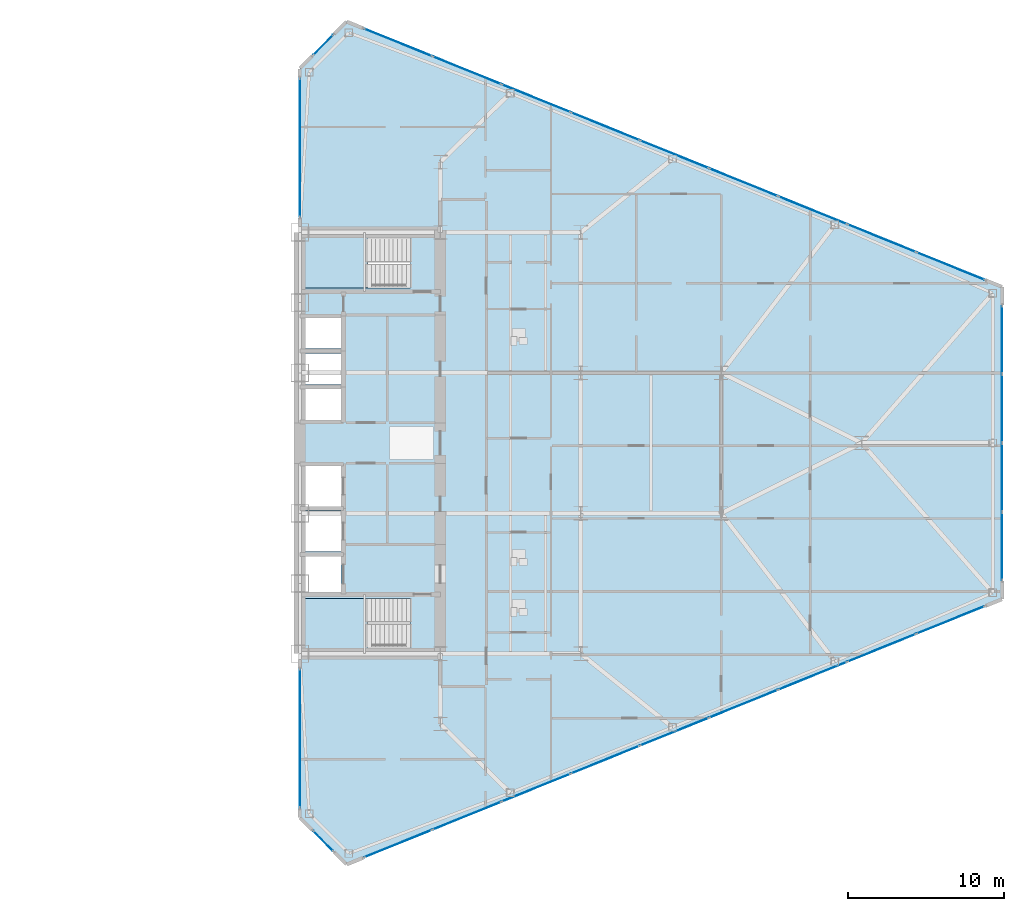
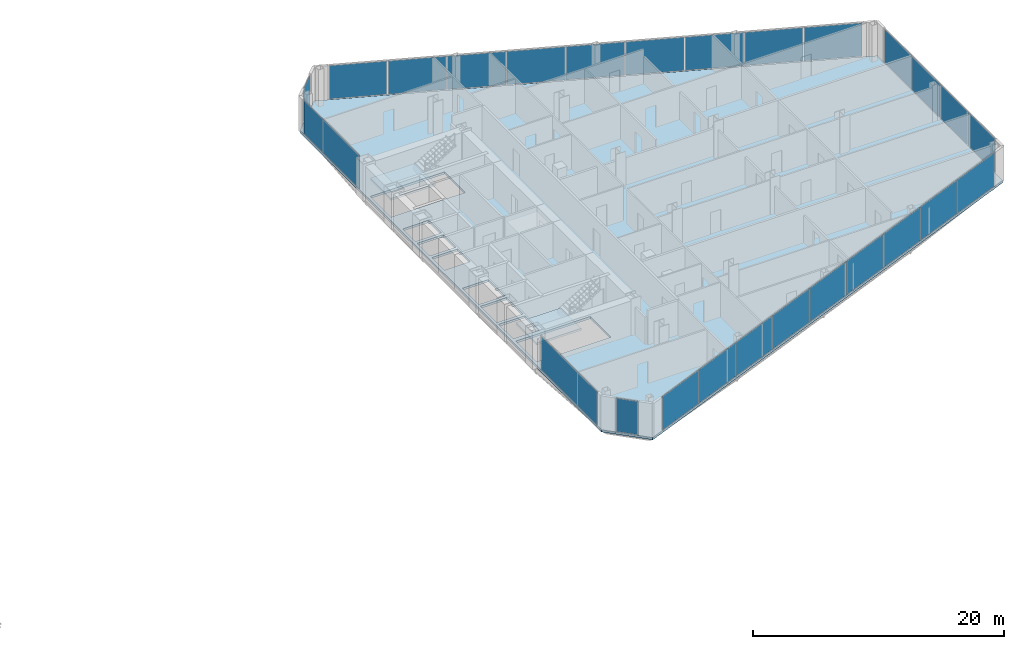
# One storey, part 16 of 25: 26 plates, 3 slabs, 9 elements without a shape of their own.
"""IFC4 building model written with IfcOpenShell, lengths in metres."""

from ifc_helpers import new_model, si_unit, direction, frame, origin, origin_2d, place, context, subcontext, project, spatial, polyline, rectangle, outline, extrude, source, transform, mapped, material, layer, layer_set, type_object, type_shapes, element, aggregate, save


model = new_model("IFC4")

# Units and contexts
model_context = context("Model", 3, precision=1e-05, world=origin(), true_north=direction((0.0, 1.0)))
body_context = subcontext(model_context, "Body", "Model", "MODEL_VIEW")
ifc_project = project(units=[si_unit("LENGTHUNIT", "METRE"), si_unit("AREAUNIT", "SQUARE_METRE"), si_unit("VOLUMEUNIT", "CUBIC_METRE"), si_unit("PLANEANGLEUNIT", "RADIAN"), si_unit("MASSUNIT", "GRAM", prefix="KILO")], contexts=[model_context])

# Site, building, storey
site_placement = place(None, origin())
site = spatial("IfcSite", under=ifc_project, at=site_placement, CompositionType="ELEMENT")
building_placement = place(site_placement, origin())
building = spatial("IfcBuilding", under=site, at=building_placement, Name="Seokmaru Belvedere", CompositionType="ELEMENT")
storey_placement = place(building_placement, frame((0.0, 0.0, 22.5)))
storey = spatial("IfcBuildingStorey", under=building, at=storey_placement, Name="L05", CompositionType="ELEMENT", Elevation=22.5)

# Stair, slab
ifc_material_1 = material(Name="Concrete C40 (40 MPa)", Category="concrete")
stair_type = type_object("IfcStairType", Name="Typical Tower Core Dog-Leg Stair 3600", PredefinedType="TWO_STRAIGHT_RUN_STAIR", material=ifc_material_1)
stair_1_placement = place(storey_placement, origin())
stair_1 = element("IfcStair", 1, at=stair_1_placement, inside=storey, type_object=stair_type, Name="L05 Special Escape Stair ST-E1", PredefinedType="TWO_STRAIGHT_RUN_STAIR")
ifc_layer_1 = layer(ifc_material_1, 0.199951171875)
ifc_layer_set_1 = layer_set([ifc_layer_1], Name="Concrete C40 (40 MPa)")
slab_type_1 = type_object("IfcSlabType", Name="Reinforced Concrete Stair Landing Slab 200", PredefinedType="LANDING", material=ifc_layer_set_1)
slab_1_placement = place(storey_placement, frame((0.0, 0.0, 1.60009765625)))
slab_1 = element("IfcSlab", 2, at=slab_1_placement, type_object=slab_type_1, Name="ST-E1 landing 1", PredefinedType="LANDING", context=body_context, shape_type="SweptSolid", body=[
    extrude(outline(polyline([(27.760009765625, -13.239990234375), (31.8798828125, -13.239990234375), (31.8798828125, -9.949951171875), (27.760009765625, -9.949951171875), (27.760009765625, -13.239990234375)])), origin(), (0.0, 0.0, 1.0), 0.199951171875),
])
aggregate(stair_1, [slab_1])

stair_2_placement = place(storey_placement, origin())
stair_2 = element("IfcStair", 3, at=stair_2_placement, inside=storey, type_object=stair_type, Name="L05 Special Escape Stair ST-E2", PredefinedType="TWO_STRAIGHT_RUN_STAIR")
slab_2_placement = place(storey_placement, frame((0.0, 0.0, 1.60009765625)))
slab_2 = element("IfcSlab", 4, at=slab_2_placement, type_object=slab_type_1, Name="ST-E2 landing 1", PredefinedType="LANDING", context=body_context, shape_type="SweptSolid", body=[
    extrude(outline(polyline([(27.760009765625, 9.949951171875), (31.8798828125, 9.949951171875), (31.8798828125, 13.239990234375), (27.760009765625, 13.239990234375), (27.760009765625, 9.949951171875)])), origin(), (0.0, 0.0, 1.0), 0.199951171875),
])
aggregate(stair_2, [slab_2])

# Slab
ifc_layer_2 = layer(ifc_material_1, 0.219970703125)
ifc_layer_set_2 = layer_set([ifc_layer_2], Name="Concrete C40 (40 MPa)")
slab_type_2 = type_object("IfcSlabType", Name="Typical Tower Composite Floor Slab 220", PredefinedType="FLOOR", material=ifc_layer_set_2)
slab_3_placement = place(storey_placement, frame((0.0, 0.0, -0.219970703125)))
element("IfcSlab", 5, at=slab_3_placement, inside=storey, type_object=slab_type_2, Name="L05 East Leg Floor Slab", PredefinedType="FLOOR", context=body_context, shape_type="SweptSolid", body=[
    extrude(outline(polyline([(30.5, -27.0), (72.5, -10.0), (72.5, 10.0), (30.5, 27.0), (27.5, 24.0), (27.5, -24.0), (30.5, -27.0)]), holes=[polyline([(27.75, -13.25), (34.60009765625, -13.25), (34.60009765625, -9.949951171875), (27.75, -9.949951171875), (27.75, -13.25)]), polyline([(27.75, 9.949951171875), (34.60009765625, 9.949951171875), (34.60009765625, 13.25), (27.75, 13.25), (27.75, 9.949951171875)]), polyline([(27.75, -9.550048828125), (30.14990234375, -9.550048828125), (30.14990234375, -7.25), (27.75, -7.25), (27.75, -9.550048828125)]), polyline([(27.75, -6.949951171875), (30.14990234375, -6.949951171875), (30.14990234375, -4.35009765625), (27.75, -4.35009765625), (27.75, -6.949951171875)]), polyline([(27.75, -4.050048828125), (30.14990234375, -4.050048828125), (30.14990234375, -1.449951171875), (27.75, -1.449951171875), (27.75, -4.050048828125)]), polyline([(27.75, 1.449951171875), (30.14990234375, 1.449951171875), (30.14990234375, 3.449951171875), (27.75, 3.449951171875), (27.75, 1.449951171875)]), polyline([(27.75, 3.75), (30.14990234375, 3.75), (30.14990234375, 5.75), (27.75, 5.75), (27.75, 3.75)]), polyline([(27.75, 6.050048828125), (30.14990234375, 6.050048828125), (30.14990234375, 8.050048828125), (27.75, 8.050048828125), (27.75, 6.050048828125)])]), origin(), (0.0, 0.0, 1.0), 0.219970703125),
])

# Curtain wall, plate
ifc_material_2 = material(Name="Bronze Triple Insulating Glass", Category="glass")
ifc_layer_3 = layer(ifc_material_2, 0.2099609375)
ifc_layer_set_3 = layer_set([ifc_layer_3], Name="Bronze Triple Insulating Glass")
curtain_wall_type = type_object("IfcCurtainWallType", Name="Low-Rise Faceted Crystal Curtain Wall System CW-2", PredefinedType="NOTDEFINED", material=ifc_layer_set_3)
curtain_wall_1_placement = place(storey_placement, origin())
curtain_wall_1 = element("IfcCurtainWall", 6, at=curtain_wall_1_placement, inside=storey, type_object=curtain_wall_type, Name="L05 Curtain Wall ESP_1", PredefinedType="NOTDEFINED")
ifc_layer_4 = layer(ifc_material_2, 0.035888671875)
ifc_layer_set_4 = layer_set([ifc_layer_4], Name="Bronze Triple Insulating Glass")
plate_type = type_object("IfcPlateType", Name="Bronze Triple Vision Glazing Panel 36", PredefinedType="CURTAIN_PANEL", material=ifc_layer_set_4)
shared_shape_1 = source(origin(), body_context, "Body", "SweptSolid", [
    extrude(rectangle(XDim=8.85009765625, YDim=0.035888671875, at=origin_2d()), origin(), (0.0, 0.0, 1.0), 3.239990234375),
])
plate_1_placement = place(storey_placement, frame((27.5, -18.929931640625, 0.06982421875), z_axis=(0.0, 0.0, 1.0), x_axis=(0.0, -1.0, 0.0)))
plate_1 = element("IfcPlate", 7, at=plate_1_placement, type_object=plate_type, Name="CW:L05:ESP_1 Glazing Panel 1-1", PredefinedType="CURTAIN_PANEL", context=body_context, shape_type="MappedRepresentation", body=[
    mapped(shared_shape_1, transform((0.0, 0.0, 0.0), scale=1.0)),
])
aggregate(curtain_wall_1, [plate_1])

curtain_wall_2_placement = place(storey_placement, origin())
curtain_wall_2 = element("IfcCurtainWall", 8, at=curtain_wall_2_placement, inside=storey, type_object=curtain_wall_type, Name="L05 Curtain Wall ESP_2", PredefinedType="NOTDEFINED")
plate_2_placement = place(storey_placement, frame((27.5, 18.929931640625, 0.06982421875), z_axis=(0.0, 0.0, 1.0), x_axis=(0.0, -1.0, 0.0)))
plate_2 = element("IfcPlate", 9, at=plate_2_placement, type_object=plate_type, Name="CW:L05:ESP_2 Glazing Panel 1-1", PredefinedType="CURTAIN_PANEL", context=body_context, shape_type="MappedRepresentation", body=[
    mapped(shared_shape_1, transform((0.0, 0.0, 0.0), scale=1.0)),
])
aggregate(curtain_wall_2, [plate_2])

curtain_wall_3_placement = place(storey_placement, origin())
curtain_wall_3 = element("IfcCurtainWall", 10, at=curtain_wall_3_placement, inside=storey, type_object=curtain_wall_type, Name="L05 Curtain Wall EF4", PredefinedType="NOTDEFINED")
shared_shape_2 = source(origin(), body_context, "Body", "SweptSolid", [
    extrude(rectangle(XDim=1.79248046875, YDim=0.035888671875, at=origin_2d()), origin(), (0.0, 0.0, 1.0), 3.239990234375),
])
plate_3_placement = place(storey_placement, frame((29.0, 25.5, 0.06982421875), z_axis=(0.0, 0.0, 1.0), x_axis=(-0.707106781187, -0.707106781187, 0.0)))
plate_3 = element("IfcPlate", 11, at=plate_3_placement, type_object=plate_type, Name="CW:L05:EF4 Glazing Panel 1-1", PredefinedType="CURTAIN_PANEL", context=body_context, shape_type="MappedRepresentation", body=[
    mapped(shared_shape_2, transform((0.0, 0.0, 0.0), scale=1.0)),
])
aggregate(curtain_wall_3, [plate_3])

curtain_wall_4_placement = place(storey_placement, origin())
curtain_wall_4 = element("IfcCurtainWall", 12, at=curtain_wall_4_placement, inside=storey, type_object=curtain_wall_type, Name="L05 Curtain Wall EF6", PredefinedType="NOTDEFINED")
plate_4_placement = place(storey_placement, frame((29.0, -25.5, 0.06982421875), z_axis=(0.0, 0.0, 1.0), x_axis=(0.707106781187, -0.707106781187, 0.0)))
plate_4 = element("IfcPlate", 13, at=plate_4_placement, type_object=plate_type, Name="CW:L05:EF6 Glazing Panel 1-1", PredefinedType="CURTAIN_PANEL", context=body_context, shape_type="MappedRepresentation", body=[
    mapped(shared_shape_2, transform((0.0, 0.0, 0.0), scale=1.0)),
])
aggregate(curtain_wall_4, [plate_4])

# Curtain wall, plates
curtain_wall_5_placement = place(storey_placement, origin())
curtain_wall_5 = element("IfcCurtainWall", 14, at=curtain_wall_5_placement, inside=storey, type_object=curtain_wall_type, Name="L05 Curtain Wall EF1", PredefinedType="NOTDEFINED")
shared_shape_3 = source(origin(), body_context, "Body", "SweptSolid", [
    extrude(rectangle(XDim=4.66650390625, YDim=0.035888671875, at=origin_2d()), origin(), (0.0, 0.0, 1.0), 3.239990234375),
])
plate_5_placement = place(storey_placement, frame((33.79833984375, -25.6650390625, 0.06982421875), z_axis=(0.0, 0.0, 1.0), x_axis=(0.926946989637, 0.375192321888, 0.0)))
plate_5 = element("IfcPlate", 15, at=plate_5_placement, type_object=plate_type, Name="CW:L05:EF1 Glazing Panel 1-1", PredefinedType="CURTAIN_PANEL", context=body_context, shape_type="MappedRepresentation", body=[
    mapped(shared_shape_3, transform((0.0, 0.0, 0.0), scale=1.0)),
])
plate_6_placement = place(storey_placement, frame((69.20166015625, -11.3349609375, 0.06982421875), z_axis=(0.0, 0.0, 1.0), x_axis=(0.926946989637, 0.375192321888, 0.0)))
plate_6 = element("IfcPlate", 16, at=plate_6_placement, type_object=plate_type, Name="CW:L05:EF1 Glazing Panel 9-1", PredefinedType="CURTAIN_PANEL", context=body_context, shape_type="MappedRepresentation", body=[
    mapped(shared_shape_3, transform((0.0, 0.0, 0.0), scale=1.0)),
])

curtain_wall_6_placement = place(storey_placement, origin())
curtain_wall_6 = element("IfcCurtainWall", 17, at=curtain_wall_6_placement, inside=storey, type_object=curtain_wall_type, Name="L05 Curtain Wall EF3", PredefinedType="NOTDEFINED")
plate_7_placement = place(storey_placement, frame((69.20166015625, 11.3349609375, 0.06982421875), z_axis=(0.0, 0.0, 1.0), x_axis=(-0.926946989637, 0.375192321888, 0.0)))
plate_7 = element("IfcPlate", 18, at=plate_7_placement, type_object=plate_type, Name="CW:L05:EF3 Glazing Panel 1-1", PredefinedType="CURTAIN_PANEL", context=body_context, shape_type="MappedRepresentation", body=[
    mapped(shared_shape_3, transform((0.0, 0.0, 0.0), scale=1.0)),
])
plate_8_placement = place(storey_placement, frame((33.79833984375, 25.6650390625, 0.06982421875), z_axis=(0.0, 0.0, 1.0), x_axis=(-0.926946989637, 0.375192321888, 0.0)))
plate_8 = element("IfcPlate", 19, at=plate_8_placement, type_object=plate_type, Name="CW:L05:EF3 Glazing Panel 9-1", PredefinedType="CURTAIN_PANEL", context=body_context, shape_type="MappedRepresentation", body=[
    mapped(shared_shape_3, transform((0.0, 0.0, 0.0), scale=1.0)),
])

# Plate
shared_shape_4 = source(origin(), body_context, "Body", "SweptSolid", [
    extrude(rectangle(XDim=4.703857421875, YDim=0.035888671875, at=origin_2d()), origin(), (0.0, 0.0, 1.0), 3.239990234375),
])
plate_9_placement = place(storey_placement, frame((38.210693359375, -23.87890625, 0.06982421875), z_axis=(0.0, 0.0, 1.0), x_axis=(0.926946989637, 0.375192321888, 0.0)))
plate_9 = element("IfcPlate", 20, at=plate_9_placement, type_object=plate_type, Name="CW:L05:EF1 Glazing Panel 2-1", PredefinedType="CURTAIN_PANEL", context=body_context, shape_type="MappedRepresentation", body=[
    mapped(shared_shape_4, transform((0.0, 0.0, 0.0), scale=1.0)),
])

plate_10_placement = place(storey_placement, frame((42.640380859375, -22.0859375, 0.06982421875), z_axis=(0.0, 0.0, 1.0), x_axis=(0.926946989637, 0.375192321888, 0.0)))
plate_10 = element("IfcPlate", 21, at=plate_10_placement, type_object=plate_type, Name="CW:L05:EF1 Glazing Panel 3-1", PredefinedType="CURTAIN_PANEL", context=body_context, shape_type="MappedRepresentation", body=[
    mapped(shared_shape_4, transform((0.0, 0.0, 0.0), scale=1.0)),
])

plate_11_placement = place(storey_placement, frame((47.0703125, -20.29296875, 0.06982421875), z_axis=(0.0, 0.0, 1.0), x_axis=(0.926946989637, 0.375192321888, 0.0)))
plate_11 = element("IfcPlate", 22, at=plate_11_placement, type_object=plate_type, Name="CW:L05:EF1 Glazing Panel 4-1", PredefinedType="CURTAIN_PANEL", context=body_context, shape_type="MappedRepresentation", body=[
    mapped(shared_shape_4, transform((0.0, 0.0, 0.0), scale=1.0)),
])

plate_12_placement = place(storey_placement, frame((51.5, -18.5, 0.06982421875), z_axis=(0.0, 0.0, 1.0), x_axis=(0.926946989637, 0.375192321888, 0.0)))
plate_12 = element("IfcPlate", 23, at=plate_12_placement, type_object=plate_type, Name="CW:L05:EF1 Glazing Panel 5-1", PredefinedType="CURTAIN_PANEL", context=body_context, shape_type="MappedRepresentation", body=[
    mapped(shared_shape_4, transform((0.0, 0.0, 0.0), scale=1.0)),
])

plate_13_placement = place(storey_placement, frame((55.9296875, -16.70703125, 0.06982421875), z_axis=(0.0, 0.0, 1.0), x_axis=(0.926946989637, 0.375192321888, 0.0)))
plate_13 = element("IfcPlate", 24, at=plate_13_placement, type_object=plate_type, Name="CW:L05:EF1 Glazing Panel 6-1", PredefinedType="CURTAIN_PANEL", context=body_context, shape_type="MappedRepresentation", body=[
    mapped(shared_shape_4, transform((0.0, 0.0, 0.0), scale=1.0)),
])

plate_14_placement = place(storey_placement, frame((60.359619140625, -14.9140625, 0.06982421875), z_axis=(0.0, 0.0, 1.0), x_axis=(0.926946989637, 0.375192321888, 0.0)))
plate_14 = element("IfcPlate", 25, at=plate_14_placement, type_object=plate_type, Name="CW:L05:EF1 Glazing Panel 7-1", PredefinedType="CURTAIN_PANEL", context=body_context, shape_type="MappedRepresentation", body=[
    mapped(shared_shape_4, transform((0.0, 0.0, 0.0), scale=1.0)),
])

plate_15_placement = place(storey_placement, frame((64.789306640625, -13.12109375, 0.06982421875), z_axis=(0.0, 0.0, 1.0), x_axis=(0.926946989637, 0.375192321888, 0.0)))
plate_15 = element("IfcPlate", 26, at=plate_15_placement, type_object=plate_type, Name="CW:L05:EF1 Glazing Panel 8-1", PredefinedType="CURTAIN_PANEL", context=body_context, shape_type="MappedRepresentation", body=[
    mapped(shared_shape_4, transform((0.0, 0.0, 0.0), scale=1.0)),
])

aggregate(curtain_wall_5, [plate_5, plate_9, plate_10, plate_11, plate_12, plate_13, plate_14, plate_15, plate_6])

plate_16_placement = place(storey_placement, frame((64.789306640625, 13.12109375, 0.06982421875), z_axis=(0.0, 0.0, 1.0), x_axis=(-0.926946989637, 0.375192321888, 0.0)))
plate_16 = element("IfcPlate", 27, at=plate_16_placement, type_object=plate_type, Name="CW:L05:EF3 Glazing Panel 2-1", PredefinedType="CURTAIN_PANEL", context=body_context, shape_type="MappedRepresentation", body=[
    mapped(shared_shape_4, transform((0.0, 0.0, 0.0), scale=1.0)),
])

plate_17_placement = place(storey_placement, frame((60.359619140625, 14.9140625, 0.06982421875), z_axis=(0.0, 0.0, 1.0), x_axis=(-0.926946989637, 0.375192321888, 0.0)))
plate_17 = element("IfcPlate", 28, at=plate_17_placement, type_object=plate_type, Name="CW:L05:EF3 Glazing Panel 3-1", PredefinedType="CURTAIN_PANEL", context=body_context, shape_type="MappedRepresentation", body=[
    mapped(shared_shape_4, transform((0.0, 0.0, 0.0), scale=1.0)),
])

plate_18_placement = place(storey_placement, frame((55.9296875, 16.70703125, 0.06982421875), z_axis=(0.0, 0.0, 1.0), x_axis=(-0.926946989637, 0.375192321888, 0.0)))
plate_18 = element("IfcPlate", 29, at=plate_18_placement, type_object=plate_type, Name="CW:L05:EF3 Glazing Panel 4-1", PredefinedType="CURTAIN_PANEL", context=body_context, shape_type="MappedRepresentation", body=[
    mapped(shared_shape_4, transform((0.0, 0.0, 0.0), scale=1.0)),
])

plate_19_placement = place(storey_placement, frame((51.5, 18.5, 0.06982421875), z_axis=(0.0, 0.0, 1.0), x_axis=(-0.926946989637, 0.375192321888, 0.0)))
plate_19 = element("IfcPlate", 30, at=plate_19_placement, type_object=plate_type, Name="CW:L05:EF3 Glazing Panel 5-1", PredefinedType="CURTAIN_PANEL", context=body_context, shape_type="MappedRepresentation", body=[
    mapped(shared_shape_4, transform((0.0, 0.0, 0.0), scale=1.0)),
])

plate_20_placement = place(storey_placement, frame((47.0703125, 20.29296875, 0.06982421875), z_axis=(0.0, 0.0, 1.0), x_axis=(-0.926946989637, 0.375192321888, 0.0)))
plate_20 = element("IfcPlate", 31, at=plate_20_placement, type_object=plate_type, Name="CW:L05:EF3 Glazing Panel 6-1", PredefinedType="CURTAIN_PANEL", context=body_context, shape_type="MappedRepresentation", body=[
    mapped(shared_shape_4, transform((0.0, 0.0, 0.0), scale=1.0)),
])

plate_21_placement = place(storey_placement, frame((42.640380859375, 22.0859375, 0.06982421875), z_axis=(0.0, 0.0, 1.0), x_axis=(-0.926946989637, 0.375192321888, 0.0)))
plate_21 = element("IfcPlate", 32, at=plate_21_placement, type_object=plate_type, Name="CW:L05:EF3 Glazing Panel 7-1", PredefinedType="CURTAIN_PANEL", context=body_context, shape_type="MappedRepresentation", body=[
    mapped(shared_shape_4, transform((0.0, 0.0, 0.0), scale=1.0)),
])

plate_22_placement = place(storey_placement, frame((38.210693359375, 23.87890625, 0.06982421875), z_axis=(0.0, 0.0, 1.0), x_axis=(-0.926946989637, 0.375192321888, 0.0)))
plate_22 = element("IfcPlate", 33, at=plate_22_placement, type_object=plate_type, Name="CW:L05:EF3 Glazing Panel 8-1", PredefinedType="CURTAIN_PANEL", context=body_context, shape_type="MappedRepresentation", body=[
    mapped(shared_shape_4, transform((0.0, 0.0, 0.0), scale=1.0)),
])

aggregate(curtain_wall_6, [plate_7, plate_16, plate_17, plate_18, plate_19, plate_20, plate_21, plate_22, plate_8])

# Curtain wall, plates
curtain_wall_7_placement = place(storey_placement, origin())
curtain_wall_7 = element("IfcCurtainWall", 34, at=curtain_wall_7_placement, inside=storey, type_object=curtain_wall_type, Name="L05 Curtain Wall EF2", PredefinedType="NOTDEFINED")
shared_shape_5 = source(origin(), body_context, "Body", "SweptSolid", [
    extrude(rectangle(XDim=4.3125, YDim=0.035888671875, at=origin_2d()), origin(), (0.0, 0.0, 1.0), 3.239990234375),
])
plate_23_placement = place(storey_placement, frame((72.5, -6.61865234375, 0.06982421875), z_axis=(0.0, 0.0, 1.0), x_axis=(0.0, 1.0, 0.0)))
plate_23 = element("IfcPlate", 35, at=plate_23_placement, type_object=plate_type, Name="CW:L05:EF2 Glazing Panel 1-1", PredefinedType="CURTAIN_PANEL", context=body_context, shape_type="MappedRepresentation", body=[
    mapped(shared_shape_5, transform((0.0, 0.0, 0.0), scale=1.0)),
])
plate_24_placement = place(storey_placement, frame((72.5, 6.61865234375, 0.06982421875), z_axis=(0.0, 0.0, 1.0), x_axis=(0.0, 1.0, 0.0)))
plate_24 = element("IfcPlate", 36, at=plate_24_placement, type_object=plate_type, Name="CW:L05:EF2 Glazing Panel 4-1", PredefinedType="CURTAIN_PANEL", context=body_context, shape_type="MappedRepresentation", body=[
    mapped(shared_shape_5, transform((0.0, 0.0, 0.0), scale=1.0)),
])
shared_shape_6 = source(origin(), body_context, "Body", "SweptSolid", [
    extrude(rectangle(XDim=4.35009765625, YDim=0.035888671875, at=origin_2d()), origin(), (0.0, 0.0, 1.0), 3.239990234375),
])
type_shapes(plate_type, [shared_shape_1, shared_shape_2, shared_shape_3, shared_shape_4, shared_shape_5, shared_shape_6])
plate_25_placement = place(storey_placement, frame((72.5, -2.21240234375, 0.06982421875), z_axis=(0.0, 0.0, 1.0), x_axis=(0.0, 1.0, 0.0)))
plate_25 = element("IfcPlate", 37, at=plate_25_placement, type_object=plate_type, Name="CW:L05:EF2 Glazing Panel 2-1", PredefinedType="CURTAIN_PANEL", context=body_context, shape_type="MappedRepresentation", body=[
    mapped(shared_shape_6, transform((0.0, 0.0, 0.0), scale=1.0)),
])
plate_26_placement = place(storey_placement, frame((72.5, 2.21240234375, 0.06982421875), z_axis=(0.0, 0.0, 1.0), x_axis=(0.0, 1.0, 0.0)))
plate_26 = element("IfcPlate", 38, at=plate_26_placement, type_object=plate_type, Name="CW:L05:EF2 Glazing Panel 3-1", PredefinedType="CURTAIN_PANEL", context=body_context, shape_type="MappedRepresentation", body=[
    mapped(shared_shape_6, transform((0.0, 0.0, 0.0), scale=1.0)),
])
aggregate(curtain_wall_7, [plate_23, plate_25, plate_26, plate_24])

save(model, "model.ifc")
